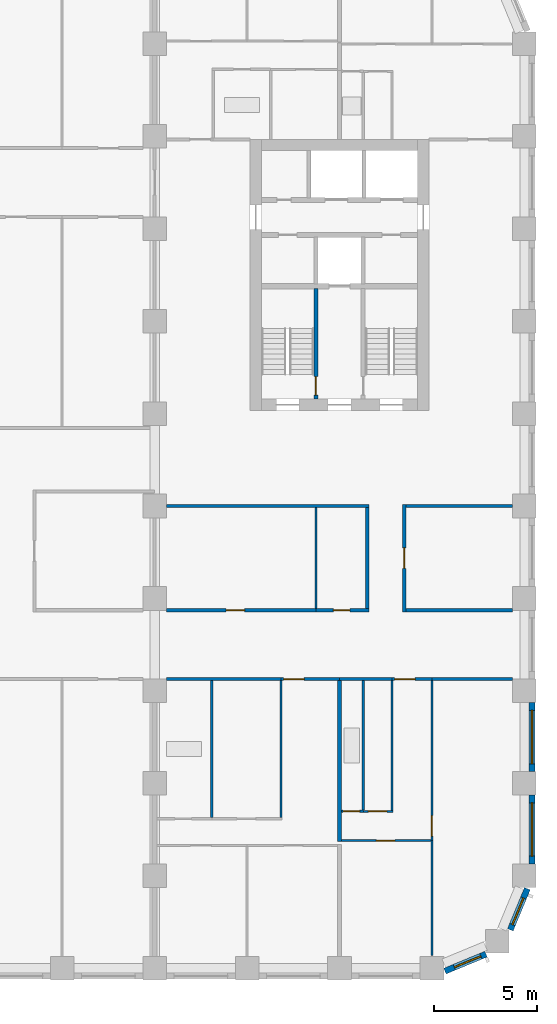
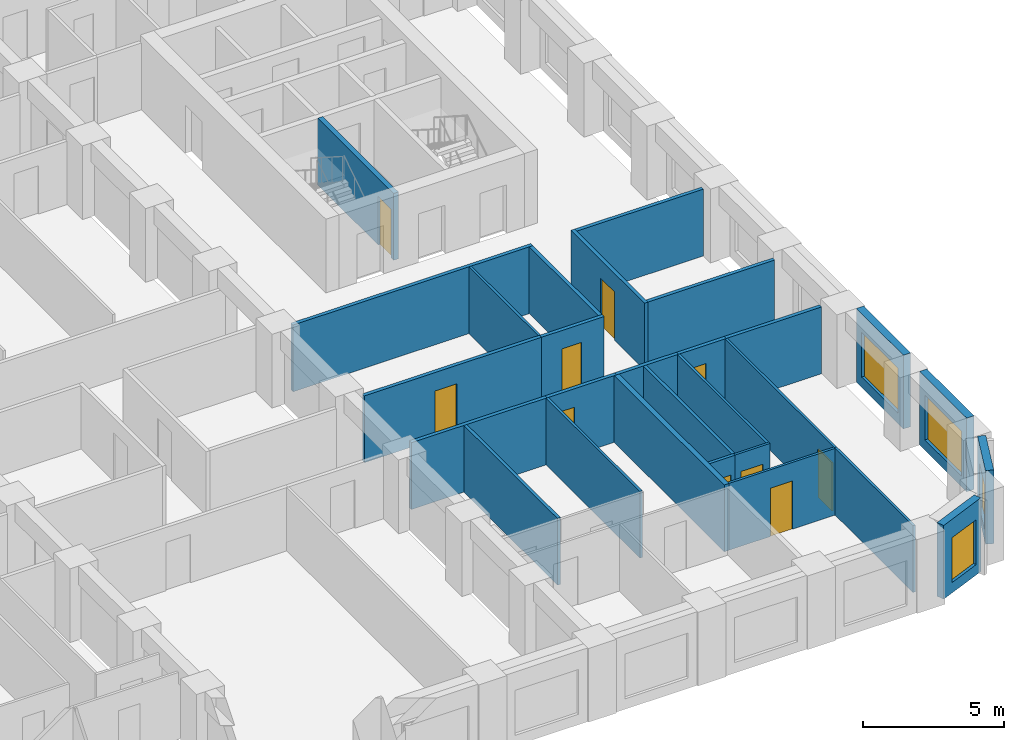
# One storey, part 5 of 13: 28 walls, 10 doors, 4 windows, 14 openings.
"""IFC4 building model written with IfcOpenShell, lengths in metres."""

from ifc_helpers import new_model, si_unit, direction, frame, frame_2d, origin, place, context, subcontext, project, spatial, rectangle, extrude, material, layer, layer_set, type_object, element, fill, save


model = new_model("IFC4")

# Units and contexts
model_context = context("Model", 3, precision=1e-05, world=origin(), true_north=direction((0.0, 1.0)))
body_context = subcontext(model_context, "Body", "Model", "MODEL_VIEW")
ifc_project = project(units=[si_unit("LENGTHUNIT", "METRE"), si_unit("AREAUNIT", "SQUARE_METRE"), si_unit("VOLUMEUNIT", "CUBIC_METRE"), si_unit("PLANEANGLEUNIT", "RADIAN"), si_unit("MASSUNIT", "GRAM", prefix="KILO")], contexts=[model_context])

# Site, building, storey
site_placement = place(None, origin())
site = spatial("IfcSite", under=ifc_project, at=site_placement, CompositionType="ELEMENT")
building_placement = place(site_placement, origin())
building = spatial("IfcBuilding", under=site, at=building_placement, Name="Girih Gate Residences", CompositionType="ELEMENT")
storey_placement = place(building_placement, frame((0.0, 0.0, 99.199951171875)))
storey = spatial("IfcBuildingStorey", under=building, at=storey_placement, Name="L27", CompositionType="ELEMENT", Elevation=99.199951171875)

# Wall
ifc_material_1 = material(Name="Gypsum board on steel studs", Category="steel")
ifc_layer_1 = layer(ifc_material_1, 0.14990234375)
ifc_layer_set_1 = layer_set([ifc_layer_1], Name="Compartment wall 150 mm")
wall_type_1 = type_object("IfcWallType", Name="Compartment wall 150 mm", PredefinedType="PARTITIONING", material=ifc_layer_set_1)
wall_1_placement = place(storey_placement, frame((40.5, 14.074951171875, 0.0), z_axis=(0.0, 0.0, 1.0), x_axis=(1.0, 0.0, 0.0)))
element("IfcWall", 1, at=wall_1_placement, inside=storey, type_object=wall_type_1, Name="L27 partition", PredefinedType="PARTITIONING", context=body_context, shape_type="SweptSolid", body=[
    extrude(rectangle(XDim=2.550048828125, YDim=0.14990234375, at=frame_2d((1.27490234375, 0.0))), origin(), (0.0, 0.0, 1.0), 2.900146484375),
])

# Wall, opening, door
wall_2_placement = place(storey_placement, frame((45.0, 14.074951171875, 0.0), z_axis=(0.0, 0.0, 1.0), x_axis=(-1.0, 0.0, 0.0)))
wall_2 = element("IfcWall", 2, at=wall_2_placement, inside=storey, type_object=wall_type_1, Name="L27 partition", PredefinedType="PARTITIONING", context=body_context, shape_type="SweptSolid", body=[
    extrude(rectangle(XDim=1.949951171875, YDim=0.14990234375, at=frame_2d((0.97509765625, 0.0))), origin(), (0.0, 0.0, 1.0), 2.900146484375),
])
opening_1_placement = place(wall_2_placement, frame((0.820068359375, 0.0, 0.0)))
opening_1 = element("IfcOpeningElement", 3, at=opening_1_placement, cuts=wall_2, Name="Opening A27-023", PredefinedType="OPENING", context=body_context, shape_type="SweptSolid", body=[
    extrude(rectangle(XDim=1.0, YDim=2.10009765625, at=frame_2d((0.5, 1.050048828125))), frame((0.0, 0.0849609375, 0.0), z_axis=(0.0, -1.0, 0.0), x_axis=(1.0, 0.0, 0.0)), (0.0, 0.0, 1.0), 0.169921875),
])
ifc_material_2 = material(Name="Timber, fire-rated core", Category="wood")
door_type_1 = type_object("IfcDoorType", Name="Flat entrance door 1000x2100 FD30S", OperationType="NOTDEFINED", PredefinedType="DOOR", material=ifc_material_2)
door_1_placement = place(opening_1_placement, origin())
door_1 = element("IfcDoor", 4, at=door_1_placement, inside=storey, type_object=door_type_1, Name="Door A27-023", OperationType="SINGLE_SWING_RIGHT", OverallHeight=2.10009765625, OverallWidth=1.0, PredefinedType="DOOR", context=body_context, shape_type="SweptSolid", body=[
    extrude(rectangle(XDim=1.0, YDim=2.10009765625, at=frame_2d((0.5, 1.050048828125))), frame((0.0, 0.02490234375, 0.0), z_axis=(0.0, -1.0, 0.0), x_axis=(1.0, 0.0, 0.0)), (0.0, 0.0, 1.0), 0.050048828125),
])
fill(opening_1, door_1)

# Walls
wall_3_placement = place(storey_placement, frame((45.0, 14.074951171875, 0.0), z_axis=(0.0, 0.0, 1.0), x_axis=(1.0, 0.0, 0.0)))
element("IfcWall", 5, at=wall_3_placement, inside=storey, type_object=wall_type_1, Name="L27 partition", PredefinedType="PARTITIONING", context=body_context, shape_type="SweptSolid", body=[
    extrude(rectangle(XDim=3.925048828125, YDim=0.14990234375, at=frame_2d((1.96240234375, 0.0))), origin(), (0.0, 0.0, 1.0), 2.900146484375),
])
wall_4_placement = place(storey_placement, frame((32.074951171875, 14.074951171875, 0.0), z_axis=(0.0, 0.0, 1.0), x_axis=(1.0, 0.0, 0.0)))
element("IfcWall", 6, at=wall_4_placement, inside=storey, type_object=wall_type_1, Name="L27 partition", PredefinedType="PARTITIONING", context=body_context, shape_type="SweptSolid", body=[
    extrude(rectangle(XDim=5.574951171875, YDim=0.14990234375, at=frame_2d((2.78759765625, 0.0))), origin(), (0.0, 0.0, 1.0), 2.900146484375),
])

# Wall, opening, door
wall_5_placement = place(storey_placement, frame((40.5, 14.074951171875, 0.0), z_axis=(0.0, 0.0, 1.0), x_axis=(-1.0, 0.0, 0.0)))
wall_5 = element("IfcWall", 7, at=wall_5_placement, inside=storey, type_object=wall_type_1, Name="L27 partition", PredefinedType="PARTITIONING", context=body_context, shape_type="SweptSolid", body=[
    extrude(rectangle(XDim=2.85009765625, YDim=0.14990234375, at=frame_2d((1.425048828125, 0.0))), origin(), (0.0, 0.0, 1.0), 2.900146484375),
])
opening_2_placement = place(wall_5_placement, frame((1.719970703125, 0.0, 0.0)))
opening_2 = element("IfcOpeningElement", 8, at=opening_2_placement, cuts=wall_5, Name="Opening A27-028", PredefinedType="OPENING", context=body_context, shape_type="SweptSolid", body=[
    extrude(rectangle(XDim=1.0, YDim=2.10009765625, at=frame_2d((0.5, 1.050048828125))), frame((0.0, 0.0849609375, 0.0), z_axis=(0.0, -1.0, 0.0), x_axis=(1.0, 0.0, 0.0)), (0.0, 0.0, 1.0), 0.169921875),
])
door_2_placement = place(opening_2_placement, origin())
door_2 = element("IfcDoor", 9, at=door_2_placement, inside=storey, type_object=door_type_1, Name="Door A27-028", OperationType="SINGLE_SWING_RIGHT", OverallHeight=2.10009765625, OverallWidth=1.0, PredefinedType="DOOR", context=body_context, shape_type="SweptSolid", body=[
    extrude(rectangle(XDim=1.0, YDim=2.10009765625, at=frame_2d((0.5, 1.050048828125))), frame((0.0, 0.02490234375, 0.0), z_axis=(0.0, -1.0, 0.0), x_axis=(1.0, 0.0, 0.0)), (0.0, 0.0, 1.0), 0.050048828125),
])
fill(opening_2, door_2)

wall_6_placement = place(storey_placement, frame((32.074951171875, 17.425048828125, 0.0), z_axis=(0.0, 0.0, 1.0), x_axis=(1.0, 0.0, 0.0)))
wall_6 = element("IfcWall", 10, at=wall_6_placement, inside=storey, type_object=wall_type_1, Name="L27 partition", PredefinedType="PARTITIONING", context=body_context, shape_type="SweptSolid", body=[
    extrude(rectangle(XDim=7.275146484375, YDim=0.14990234375, at=frame_2d((3.6376953125, 0.0))), origin(), (0.0, 0.0, 1.0), 2.900146484375),
])
opening_3_placement = place(wall_6_placement, frame((2.89990234375, 0.0, 0.0)))
opening_3 = element("IfcOpeningElement", 11, at=opening_3_placement, cuts=wall_6, Name="Opening A27-050", PredefinedType="OPENING", context=body_context, shape_type="SweptSolid", body=[
    extrude(rectangle(XDim=0.89990234375, YDim=2.10009765625, at=frame_2d((0.449951171875, 1.050048828125))), frame((0.0, 0.0849609375, 0.0), z_axis=(0.0, -1.0, 0.0), x_axis=(1.0, 0.0, 0.0)), (0.0, 0.0, 1.0), 0.169921875),
])
ifc_material_3 = material(Name="Timber", Category="wood")
door_type_2 = type_object("IfcDoorType", Name="Service room door 900x2100", OperationType="NOTDEFINED", PredefinedType="DOOR", material=ifc_material_3)
door_3_placement = place(opening_3_placement, origin())
door_3 = element("IfcDoor", 12, at=door_3_placement, inside=storey, type_object=door_type_2, Name="Door A27-050", OperationType="SINGLE_SWING_LEFT", OverallHeight=2.10009765625, OverallWidth=0.89990234375, PredefinedType="DOOR", context=body_context, shape_type="SweptSolid", body=[
    extrude(rectangle(XDim=0.89990234375, YDim=2.10009765625, at=frame_2d((0.449951171875, 1.050048828125))), frame((0.0, 0.02490234375, 0.0), z_axis=(0.0, -1.0, 0.0), x_axis=(1.0, 0.0, 0.0)), (0.0, 0.0, 1.0), 0.050048828125),
])
fill(opening_3, door_3)

wall_7_placement = place(storey_placement, frame((39.35009765625, 17.425048828125, 0.0), z_axis=(0.0, 0.0, 1.0), x_axis=(1.0, 0.0, 0.0)))
wall_7 = element("IfcWall", 13, at=wall_7_placement, inside=storey, type_object=wall_type_1, Name="L27 partition", PredefinedType="PARTITIONING", context=body_context, shape_type="SweptSolid", body=[
    extrude(rectangle(XDim=2.574951171875, YDim=0.14990234375, at=frame_2d((1.28759765625, 0.0))), origin(), (0.0, 0.0, 1.0), 2.900146484375),
])
opening_4_placement = place(wall_7_placement, frame((0.85009765625, 0.0, 0.0)))
opening_4 = element("IfcOpeningElement", 14, at=opening_4_placement, cuts=wall_7, Name="Opening A27-052", PredefinedType="OPENING", context=body_context, shape_type="SweptSolid", body=[
    extrude(rectangle(XDim=0.800048828125, YDim=2.10009765625, at=frame_2d((0.39990234375, 1.050048828125))), frame((0.0, 0.0849609375, 0.0), z_axis=(0.0, -1.0, 0.0), x_axis=(1.0, 0.0, 0.0)), (0.0, 0.0, 1.0), 0.169921875),
])
door_type_3 = type_object("IfcDoorType", Name="Bathroom door 800x2100", OperationType="NOTDEFINED", PredefinedType="DOOR", material=ifc_material_3)
door_4_placement = place(opening_4_placement, origin())
door_4 = element("IfcDoor", 15, at=door_4_placement, inside=storey, type_object=door_type_3, Name="Door A27-052", OperationType="SINGLE_SWING_LEFT", OverallHeight=2.10009765625, OverallWidth=0.800048828125, PredefinedType="DOOR", context=body_context, shape_type="SweptSolid", body=[
    extrude(rectangle(XDim=0.800048828125, YDim=2.10009765625, at=frame_2d((0.39990234375, 1.050048828125))), frame((0.0, 0.02490234375, 0.0), z_axis=(0.0, -1.0, 0.0), x_axis=(1.0, 0.0, 0.0)), (0.0, 0.0, 1.0), 0.050048828125),
])
fill(opening_4, door_4)

# Walls
wall_8_placement = place(storey_placement, frame((43.72509765625, 17.425048828125, 0.0), z_axis=(0.0, 0.0, 1.0), x_axis=(1.0, 0.0, 0.0)))
element("IfcWall", 16, at=wall_8_placement, inside=storey, type_object=wall_type_1, Name="L27 partition", PredefinedType="PARTITIONING", context=body_context, shape_type="SweptSolid", body=[
    extrude(rectangle(XDim=5.199951171875, YDim=0.14990234375, at=frame_2d((2.60009765625, 0.0))), origin(), (0.0, 0.0, 1.0), 2.900146484375),
])
wall_9_placement = place(storey_placement, frame((32.074951171875, 22.5, 0.0), z_axis=(0.0, 0.0, 1.0), x_axis=(1.0, 0.0, 0.0)))
element("IfcWall", 17, at=wall_9_placement, inside=storey, type_object=wall_type_1, Name="L27 partition", PredefinedType="PARTITIONING", context=body_context, shape_type="SweptSolid", body=[
    extrude(rectangle(XDim=9.85009765625, YDim=0.14990234375, at=frame_2d((4.925048828125, 0.0))), origin(), (0.0, 0.0, 1.0), 2.900146484375),
])
wall_10_placement = place(storey_placement, frame((43.72509765625, 22.5, 0.0), z_axis=(0.0, 0.0, 1.0), x_axis=(1.0, 0.0, 0.0)))
element("IfcWall", 18, at=wall_10_placement, inside=storey, type_object=wall_type_1, Name="L27 partition", PredefinedType="PARTITIONING", context=body_context, shape_type="SweptSolid", body=[
    extrude(rectangle(XDim=5.199951171875, YDim=0.14990234375, at=frame_2d((2.60009765625, 0.0))), origin(), (0.0, 0.0, 1.0), 2.900146484375),
])
wall_11_placement = place(storey_placement, frame((41.85009765625, 17.5, 0.0), z_axis=(0.0, 0.0, 1.0), x_axis=(0.0, 1.0, 0.0)))
element("IfcWall", 19, at=wall_11_placement, inside=storey, type_object=wall_type_1, Name="L27 partition", PredefinedType="PARTITIONING", context=body_context, shape_type="SweptSolid", body=[
    extrude(rectangle(XDim=4.925048828125, YDim=0.14990234375, at=frame_2d((2.46240234375, 0.0))), origin(), (0.0, 0.0, 1.0), 2.900146484375),
])

# Wall, opening, door
wall_12_placement = place(storey_placement, frame((43.64990234375, 22.574951171875, 0.0), z_axis=(0.0, 0.0, 1.0), x_axis=(0.0, -1.0, 0.0)))
wall_12 = element("IfcWall", 20, at=wall_12_placement, inside=storey, type_object=wall_type_1, Name="L27 partition", PredefinedType="PARTITIONING", context=body_context, shape_type="SweptSolid", body=[
    extrude(rectangle(XDim=5.224853515625, YDim=0.14990234375, at=frame_2d((2.6123046875, 0.0))), origin(), (0.0, 0.0, 1.0), 2.900146484375),
])
opening_5_placement = place(wall_12_placement, frame((2.112548828125, 0.0, 0.0)))
opening_5 = element("IfcOpeningElement", 21, at=opening_5_placement, cuts=wall_12, Name="Opening A27-054", PredefinedType="OPENING", context=body_context, shape_type="SweptSolid", body=[
    extrude(rectangle(XDim=1.0, YDim=2.10009765625, at=frame_2d((0.5, 1.050048828125))), frame((0.0, 0.0849609375, 0.0), z_axis=(0.0, -1.0, 0.0), x_axis=(1.0, 0.0, 0.0)), (0.0, 0.0, 1.0), 0.169921875),
])
door_type_4 = type_object("IfcDoorType", Name="Amenity room door 1000x2100 FD30S", OperationType="NOTDEFINED", PredefinedType="DOOR", material=ifc_material_2)
door_5_placement = place(opening_5_placement, origin())
door_5 = element("IfcDoor", 22, at=door_5_placement, inside=storey, type_object=door_type_4, Name="Door A27-054", OperationType="SINGLE_SWING_RIGHT", OverallHeight=2.10009765625, OverallWidth=1.0, PredefinedType="DOOR", context=body_context, shape_type="SweptSolid", body=[
    extrude(rectangle(XDim=1.0, YDim=2.10009765625, at=frame_2d((0.5, 1.050048828125))), frame((0.0, 0.02490234375, 0.0), z_axis=(0.0, -1.0, 0.0), x_axis=(1.0, 0.0, 0.0)), (0.0, 0.0, 1.0), 0.050048828125),
])
fill(opening_5, door_5)

ifc_layer_2 = layer(ifc_material_1, 0.10009765625)
ifc_layer_set_2 = layer_set([ifc_layer_2], Name="Partition 100 mm")
wall_type_2 = type_object("IfcWallType", Name="Partition 100 mm", PredefinedType="PARTITIONING", material=ifc_layer_set_2)
wall_13_placement = place(storey_placement, frame((44.949951171875, 6.215087890625, 0.0), z_axis=(0.0, 0.0, 1.0), x_axis=(-1.0, 0.0, 0.0)))
wall_13 = element("IfcWall", 23, at=wall_13_placement, inside=storey, type_object=wall_type_2, Name="L27 partition", PredefinedType="PARTITIONING", context=body_context, shape_type="SweptSolid", body=[
    extrude(rectangle(XDim=4.349853515625, YDim=0.10009765625, at=frame_2d((2.1748046875, 0.0))), origin(), (0.0, 0.0, 1.0), 2.900146484375),
])
opening_6_placement = place(wall_13_placement, frame((1.75, 0.0, 0.0)))
opening_6 = element("IfcOpeningElement", 24, at=opening_6_placement, cuts=wall_13, Name="Opening A27-020", PredefinedType="OPENING", context=body_context, shape_type="SweptSolid", body=[
    extrude(rectangle(XDim=0.89990234375, YDim=2.10009765625, at=frame_2d((0.449951171875, 1.050048828125))), frame((0.0, 0.06005859375, 0.0), z_axis=(0.0, -1.0, 0.0), x_axis=(1.0, 0.0, 0.0)), (0.0, 0.0, 1.0), 0.1201171875),
])
door_type_5 = type_object("IfcDoorType", Name="Bedroom door 900x2100", OperationType="NOTDEFINED", PredefinedType="DOOR", material=ifc_material_3)
door_6_placement = place(opening_6_placement, origin())
door_6 = element("IfcDoor", 25, at=door_6_placement, inside=storey, type_object=door_type_5, Name="Door A27-020", OperationType="SINGLE_SWING_RIGHT", OverallHeight=2.10009765625, OverallWidth=0.89990234375, PredefinedType="DOOR", context=body_context, shape_type="SweptSolid", body=[
    extrude(rectangle(XDim=0.89990234375, YDim=2.10009765625, at=frame_2d((0.449951171875, 1.050048828125))), frame((0.0, 0.02490234375, 0.0), z_axis=(0.0, -1.0, 0.0), x_axis=(1.0, 0.0, 0.0)), (0.0, 0.0, 1.0), 0.050048828125),
])
fill(opening_6, door_6)

# Wall
wall_14_placement = place(storey_placement, frame((45.0, 0.622314453125, 0.0), z_axis=(0.0, 0.0, 1.0), x_axis=(0.0, 1.0, 0.0)))
element("IfcWall", 26, at=wall_14_placement, inside=storey, type_object=wall_type_2, Name="L27 partition", PredefinedType="PARTITIONING", context=body_context, shape_type="SweptSolid", body=[
    extrude(rectangle(XDim=5.5927734375, YDim=0.10009765625, at=frame_2d((2.79638671875, 0.0))), origin(), (0.0, 0.0, 1.0), 2.900146484375),
])

# Wall, opening, door
wall_15_placement = place(storey_placement, frame((41.6591796875, 7.635009765625, 0.0), z_axis=(0.0, 0.0, 1.0), x_axis=(1.0, 0.0, 0.0)))
wall_15 = element("IfcWall", 27, at=wall_15_placement, inside=storey, type_object=wall_type_2, Name="L27 partition", PredefinedType="PARTITIONING", context=body_context, shape_type="SweptSolid", body=[
    extrude(rectangle(XDim=1.44091796875, YDim=0.10009765625, at=frame_2d((0.720458984375, 0.0))), origin(), (0.0, 0.0, 1.0), 2.900146484375),
])
opening_7_placement = place(wall_15_placement, frame((0.24560546875, 0.0, 0.0)))
opening_7 = element("IfcOpeningElement", 28, at=opening_7_placement, cuts=wall_15, Name="Opening A27-021", PredefinedType="OPENING", context=body_context, shape_type="SweptSolid", body=[
    extrude(rectangle(XDim=0.89990234375, YDim=2.10009765625, at=frame_2d((0.449951171875, 1.050048828125))), frame((0.0, 0.06005859375, 0.0), z_axis=(0.0, -1.0, 0.0), x_axis=(1.0, 0.0, 0.0)), (0.0, 0.0, 1.0), 0.1201171875),
])
door_type_6 = type_object("IfcDoorType", Name="Kitchen door 900x2100", OperationType="NOTDEFINED", PredefinedType="DOOR", material=ifc_material_3)
door_7_placement = place(opening_7_placement, origin())
door_7 = element("IfcDoor", 29, at=door_7_placement, inside=storey, type_object=door_type_6, Name="Door A27-021", OperationType="SINGLE_SWING_LEFT", OverallHeight=2.10009765625, OverallWidth=0.89990234375, PredefinedType="DOOR", context=body_context, shape_type="SweptSolid", body=[
    extrude(rectangle(XDim=0.89990234375, YDim=2.10009765625, at=frame_2d((0.449951171875, 1.050048828125))), frame((0.0, 0.02490234375, 0.0), z_axis=(0.0, -1.0, 0.0), x_axis=(1.0, 0.0, 0.0)), (0.0, 0.0, 1.0), 0.050048828125),
])
fill(opening_7, door_7)

# Wall
wall_16_placement = place(storey_placement, frame((43.050048828125, 7.68505859375, 0.0), z_axis=(0.0, 0.0, 1.0), x_axis=(0.0, 1.0, 0.0)))
element("IfcWall", 30, at=wall_16_placement, inside=storey, type_object=wall_type_2, Name="L27 partition", PredefinedType="PARTITIONING", context=body_context, shape_type="SweptSolid", body=[
    extrude(rectangle(XDim=6.31494140625, YDim=0.10009765625, at=frame_2d((3.157470703125, 0.0))), origin(), (0.0, 0.0, 1.0), 2.900146484375),
])

# Wall, opening, door
wall_17_placement = place(storey_placement, frame((45.0, 14.0, 0.0), z_axis=(0.0, 0.0, 1.0), x_axis=(0.0, -1.0, 0.0)))
wall_17 = element("IfcWall", 31, at=wall_17_placement, inside=storey, type_object=wall_type_2, Name="L27 partition", PredefinedType="PARTITIONING", context=body_context, shape_type="SweptSolid", body=[
    extrude(rectangle(XDim=7.784912109375, YDim=0.10009765625, at=frame_2d((3.892578125, 0.0))), origin(), (0.0, 0.0, 1.0), 2.900146484375),
])
opening_8_placement = place(wall_17_placement, frame((6.574951171875, 0.0, 0.0)))
opening_8 = element("IfcOpeningElement", 32, at=opening_8_placement, cuts=wall_17, Name="Opening A27-022", PredefinedType="OPENING", context=body_context, shape_type="SweptSolid", body=[
    extrude(rectangle(XDim=1.0, YDim=2.10009765625, at=frame_2d((0.5, 1.050048828125))), frame((0.0, 0.06005859375, 0.0), z_axis=(0.0, -1.0, 0.0), x_axis=(1.0, 0.0, 0.0)), (0.0, 0.0, 1.0), 0.1201171875),
])
door_type_7 = type_object("IfcDoorType", Name="Living room door 1000x2100", OperationType="NOTDEFINED", PredefinedType="DOOR", material=ifc_material_3)
door_8_placement = place(opening_8_placement, origin())
door_8 = element("IfcDoor", 33, at=door_8_placement, inside=storey, type_object=door_type_7, Name="Door A27-022", OperationType="SINGLE_SWING_RIGHT", OverallHeight=2.10009765625, OverallWidth=1.0, PredefinedType="DOOR", context=body_context, shape_type="SweptSolid", body=[
    extrude(rectangle(XDim=1.0, YDim=2.10009765625, at=frame_2d((0.5, 1.050048828125))), frame((0.0, 0.02490234375, 0.0), z_axis=(0.0, -1.0, 0.0), x_axis=(1.0, 0.0, 0.0)), (0.0, 0.0, 1.0), 0.050048828125),
])
fill(opening_8, door_8)

# Walls
wall_18_placement = place(storey_placement, frame((37.64990234375, 7.324951171875, 0.0), z_axis=(0.0, 0.0, 1.0), x_axis=(0.0, 1.0, 0.0)))
element("IfcWall", 34, at=wall_18_placement, inside=storey, type_object=wall_type_2, Name="L27 partition", PredefinedType="PARTITIONING", context=body_context, shape_type="SweptSolid", body=[
    extrude(rectangle(XDim=6.675048828125, YDim=0.10009765625, at=frame_2d((3.33740234375, 0.0))), origin(), (0.0, 0.0, 1.0), 2.900146484375),
])
wall_19_placement = place(storey_placement, frame((39.35009765625, 17.5, 0.0), z_axis=(0.0, 0.0, 1.0), x_axis=(0.0, 1.0, 0.0)))
element("IfcWall", 35, at=wall_19_placement, inside=storey, type_object=wall_type_2, Name="L27 partition", PredefinedType="PARTITIONING", context=body_context, shape_type="SweptSolid", body=[
    extrude(rectangle(XDim=4.925048828125, YDim=0.10009765625, at=frame_2d((2.46240234375, 0.0))), origin(), (0.0, 0.0, 1.0), 2.900146484375),
])
ifc_layer_3 = layer(ifc_material_1, 0.199951171875)
ifc_layer_set_3 = layer_set([ifc_layer_3], Name="Party wall 200 mm")
wall_type_3 = type_object("IfcWallType", Name="Party wall 200 mm", PredefinedType="PARTITIONING", material=ifc_layer_set_3)
wall_20_placement = place(storey_placement, frame((40.5, 6.1650390625, 0.0), z_axis=(0.0, 0.0, 1.0), x_axis=(0.0, 1.0, 0.0)))
element("IfcWall", 36, at=wall_20_placement, inside=storey, type_object=wall_type_3, Name="L27 partition", PredefinedType="PARTITIONING", context=body_context, shape_type="SweptSolid", body=[
    extrude(rectangle(XDim=7.8349609375, YDim=0.199951171875, at=frame_2d((3.91748046875, 0.0))), origin(), (0.0, 0.0, 1.0), 2.900146484375),
])

# Wall, opening, window
ifc_material_4 = material(Name="Precast concrete C50/60", Category="concrete")
ifc_layer_4 = layer(ifc_material_4, 0.080078125, Name="Outer leaf")
ifc_material_5 = material(Name="Rigid PIR insulation")
ifc_layer_5 = layer(ifc_material_5, 0.14990234375, Name="Insulation")
ifc_material_6 = material(Name="Precast concrete C40/50", Category="concrete")
ifc_layer_6 = layer(ifc_material_6, 0.070068359375, Name="Inner leaf")
ifc_layer_set_4 = layer_set([ifc_layer_4, ifc_layer_5, ifc_layer_6], Name="Precast concrete C50/60 external wall 300")
wall_type_4 = type_object("IfcWallType", Name="Precast concrete C50/60 external wall 300", PredefinedType="SOLIDWALL", material=ifc_layer_set_4)
wall_21_placement = place(storey_placement, frame((47.63134765625, 0.68408203125, 0.0), z_axis=(0.0, 0.0, 1.0), x_axis=(-0.923862802911, -0.382723818695, 0.0)))
wall_21 = element("IfcWall", 37, at=wall_21_placement, inside=storey, type_object=wall_type_4, Name="External wall SE0450_0000.0", PredefinedType="SOLIDWALL", context=body_context, shape_type="SweptSolid", body=[
    extrude(rectangle(XDim=2.163818359375, YDim=0.300048828125, at=frame_2d((1.08203125, 0.0))), origin(), (0.0, 0.0, 1.0), 3.199951171875),
])
opening_9_placement = place(wall_21_placement, frame((0.270751953125, 0.0, 0.449951171875)))
opening_9 = element("IfcOpeningElement", 38, at=opening_9_placement, cuts=wall_21, Name="Opening W-2D", PredefinedType="OPENING", context=body_context, shape_type="SweptSolid", body=[
    extrude(rectangle(XDim=1.39990234375, YDim=1.949951171875, at=frame_2d((0.699951171875, 0.97509765625))), frame((0.0, 0.159912109375, 0.0), z_axis=(0.0, -1.0, 0.0), x_axis=(1.0, 0.0, 0.0)), (0.0, 0.0, 1.0), 0.320068359375),
])
ifc_material_7 = material(Name="Double glazing in aluminium frame", Category="aluminium")
window_type_1 = type_object("IfcWindowType", Name="Window W-2D 1400x1950", PartitioningType="SINGLE_PANEL", PredefinedType="WINDOW", material=ifc_material_7)
window_1_placement = place(opening_9_placement, origin())
window_1 = element("IfcWindow", 39, at=window_1_placement, inside=storey, type_object=window_type_1, Name="Window W-2D SE0450_0000.0", OverallHeight=1.949951171875, OverallWidth=1.39990234375, PartitioningType="SINGLE_PANEL", PredefinedType="WINDOW", context=body_context, shape_type="SweptSolid", body=[
    extrude(rectangle(XDim=1.39990234375, YDim=1.949951171875, at=frame_2d((0.699951171875, 0.97509765625))), frame((0.0, 0.030029296875, 0.0), z_axis=(0.0, -1.0, 0.0), x_axis=(1.0, 0.0, 0.0)), (0.0, 0.0, 1.0), 0.06005859375),
])
fill(opening_9, window_1)

wall_22_placement = place(storey_placement, frame((49.64404296875, 3.86767578125, 0.0), z_axis=(0.0, 0.0, 1.0), x_axis=(-0.382723818695, -0.923862802911, 0.0)))
wall_22 = element("IfcWall", 40, at=wall_22_placement, inside=storey, type_object=wall_type_4, Name="External wall SE0482_0013.0", PredefinedType="SOLIDWALL", context=body_context, shape_type="SweptSolid", body=[
    extrude(rectangle(XDim=2.163818359375, YDim=0.300048828125, at=frame_2d((1.08203125, 0.0))), origin(), (0.0, 0.0, 1.0), 3.199951171875),
])
opening_10_placement = place(wall_22_placement, frame((0.492919921875, 0.0, 0.449951171875)))
opening_10 = element("IfcOpeningElement", 41, at=opening_10_placement, cuts=wall_22, Name="Opening W-2D", PredefinedType="OPENING", context=body_context, shape_type="SweptSolid", body=[
    extrude(rectangle(XDim=1.39990234375, YDim=1.949951171875, at=frame_2d((0.699951171875, 0.97509765625))), frame((0.0, 0.159912109375, 0.0), z_axis=(0.0, -1.0, 0.0), x_axis=(1.0, 0.0, 0.0)), (0.0, 0.0, 1.0), 0.320068359375),
])
window_2_placement = place(opening_10_placement, origin())
window_2 = element("IfcWindow", 42, at=window_2_placement, inside=storey, type_object=window_type_1, Name="Window W-2D SE0482_0013.0", OverallHeight=1.949951171875, OverallWidth=1.39990234375, PartitioningType="SINGLE_PANEL", PredefinedType="WINDOW", context=body_context, shape_type="SweptSolid", body=[
    extrude(rectangle(XDim=1.39990234375, YDim=1.949951171875, at=frame_2d((0.699951171875, 0.97509765625))), frame((0.0, 0.030029296875, 0.0), z_axis=(0.0, -1.0, 0.0), x_axis=(1.0, 0.0, 0.0)), (0.0, 0.0, 1.0), 0.06005859375),
])
fill(opening_10, window_2)

wall_23_placement = place(storey_placement, frame((49.875, 8.425048828125, 0.0), z_axis=(0.0, 0.0, 1.0), x_axis=(0.0, -1.0, 0.0)))
wall_23 = element("IfcWall", 43, at=wall_23_placement, inside=storey, type_object=wall_type_4, Name="External wall E0495_0045.0", PredefinedType="SOLIDWALL", context=body_context, shape_type="SweptSolid", body=[
    extrude(rectangle(XDim=3.35009765625, YDim=0.300048828125, at=frame_2d((1.675048828125, 0.0))), origin(), (0.0, 0.0, 1.0), 3.199951171875),
])
opening_11_placement = place(wall_23_placement, frame((0.375, 0.0, 0.449951171875)))
opening_11 = element("IfcOpeningElement", 44, at=opening_11_placement, cuts=wall_23, Name="Opening W-1A", PredefinedType="OPENING", context=body_context, shape_type="SweptSolid", body=[
    extrude(rectangle(XDim=2.60009765625, YDim=1.949951171875, at=frame_2d((1.300048828125, 0.97509765625))), frame((0.0, 0.159912109375, 0.0), z_axis=(0.0, -1.0, 0.0), x_axis=(1.0, 0.0, 0.0)), (0.0, 0.0, 1.0), 0.320068359375),
])
window_type_2 = type_object("IfcWindowType", Name="Window W-1A 2600x1950", PartitioningType="SINGLE_PANEL", PredefinedType="WINDOW", material=ifc_material_7)
window_3_placement = place(opening_11_placement, origin())
window_3 = element("IfcWindow", 45, at=window_3_placement, inside=storey, type_object=window_type_2, Name="Window W-1A E0495_0045.0", OverallHeight=1.949951171875, OverallWidth=2.60009765625, PartitioningType="SINGLE_PANEL", PredefinedType="WINDOW", context=body_context, shape_type="SweptSolid", body=[
    extrude(rectangle(XDim=2.60009765625, YDim=1.949951171875, at=frame_2d((1.300048828125, 0.97509765625))), frame((0.0, 0.030029296875, 0.0), z_axis=(0.0, -1.0, 0.0), x_axis=(1.0, 0.0, 0.0)), (0.0, 0.0, 1.0), 0.06005859375),
])
fill(opening_11, window_3)

wall_24_placement = place(storey_placement, frame((49.875, 12.925048828125, 0.0), z_axis=(0.0, 0.0, 1.0), x_axis=(0.0, -1.0, 0.0)))
wall_24 = element("IfcWall", 46, at=wall_24_placement, inside=storey, type_object=wall_type_4, Name="External wall E0495_0045.1", PredefinedType="SOLIDWALL", context=body_context, shape_type="SweptSolid", body=[
    extrude(rectangle(XDim=3.35009765625, YDim=0.300048828125, at=frame_2d((1.675048828125, 0.0))), origin(), (0.0, 0.0, 1.0), 3.199951171875),
])
opening_12_placement = place(wall_24_placement, frame((0.375, 0.0, 0.449951171875)))
opening_12 = element("IfcOpeningElement", 47, at=opening_12_placement, cuts=wall_24, Name="Opening W-1A", PredefinedType="OPENING", context=body_context, shape_type="SweptSolid", body=[
    extrude(rectangle(XDim=2.60009765625, YDim=1.949951171875, at=frame_2d((1.300048828125, 0.97509765625))), frame((0.0, 0.159912109375, 0.0), z_axis=(0.0, -1.0, 0.0), x_axis=(1.0, 0.0, 0.0)), (0.0, 0.0, 1.0), 0.320068359375),
])
window_4_placement = place(opening_12_placement, origin())
window_4 = element("IfcWindow", 48, at=window_4_placement, inside=storey, type_object=window_type_2, Name="Window W-1A E0495_0045.1", OverallHeight=1.949951171875, OverallWidth=2.60009765625, PartitioningType="SINGLE_PANEL", PredefinedType="WINDOW", context=body_context, shape_type="SweptSolid", body=[
    extrude(rectangle(XDim=2.60009765625, YDim=1.949951171875, at=frame_2d((1.300048828125, 0.97509765625))), frame((0.0, 0.030029296875, 0.0), z_axis=(0.0, -1.0, 0.0), x_axis=(1.0, 0.0, 0.0)), (0.0, 0.0, 1.0), 0.06005859375),
])
fill(opening_12, window_4)

# Wall, opening, door
ifc_material_8 = material(Name="Concrete C40/50", Category="concrete")
ifc_layer_7 = layer(ifc_material_8, 0.199951171875)
ifc_layer_set_5 = layer_set([ifc_layer_7], Name="Shaft wall 200")
wall_type_5 = type_object("IfcWallType", Name="Shaft wall 200", PredefinedType="SOLIDWALL", material=ifc_layer_set_5)
wall_25_placement = place(storey_placement, frame((39.35009765625, 27.699951171875, 0.0), z_axis=(0.0, 0.0, 1.0), x_axis=(0.0, 1.0, 0.0)))
wall_25 = element("IfcWall", 49, at=wall_25_placement, inside=storey, type_object=wall_type_5, Name="L27 E core wall V2a", PredefinedType="SOLIDWALL", context=body_context, shape_type="SweptSolid", body=[
    extrude(rectangle(XDim=5.400146484375, YDim=0.199951171875, at=frame_2d((2.7001953125, 0.0))), origin(), (0.0, 0.0, 1.0), 2.900146484375),
])
opening_13_placement = place(wall_25_placement, frame((0.199951171875, 0.0, 0.0)))
opening_13 = element("IfcOpeningElement", 50, at=opening_13_placement, cuts=wall_25, Name="Opening D-L27-E-002", PredefinedType="OPENING", context=body_context, shape_type="SweptSolid", body=[
    extrude(rectangle(XDim=0.89990234375, YDim=2.10009765625, at=frame_2d((0.449951171875, 1.050048828125))), frame((0.0, 0.10986328125, 0.0), z_axis=(0.0, -1.0, 0.0), x_axis=(1.0, 0.0, 0.0)), (0.0, 0.0, 1.0), 0.219970703125),
])
ifc_material_9 = material(Name="Painted steel, fire-resisting", Category="steel")
door_type_8 = type_object("IfcDoorType", Name="Fire door 900x2100", OperationType="SINGLE_SWING_LEFT", PredefinedType="DOOR", material=ifc_material_9)
door_9_placement = place(opening_13_placement, origin())
door_9 = element("IfcDoor", 51, at=door_9_placement, inside=storey, type_object=door_type_8, Name="L27 E door stair 2 to firefighting lobby", OperationType="SINGLE_SWING_LEFT", OverallHeight=2.10009765625, OverallWidth=0.89990234375, PredefinedType="DOOR", context=body_context, shape_type="SweptSolid", body=[
    extrude(rectangle(XDim=0.89990234375, YDim=2.10009765625, at=frame_2d((0.449951171875, 1.050048828125))), frame((0.0, 0.02490234375, 0.0), z_axis=(0.0, -1.0, 0.0), x_axis=(1.0, 0.0, 0.0)), (0.0, 0.0, 1.0), 0.050048828125),
])
fill(opening_13, door_9)

ifc_layer_8 = layer(ifc_material_1, 0.125)
ifc_layer_set_6 = layer_set([ifc_layer_8], Name="Wet room wall 125 mm")
wall_type_6 = type_object("IfcWallType", Name="Wet room wall 125 mm", PredefinedType="PARTITIONING", material=ifc_layer_set_6)
wall_26_placement = place(storey_placement, frame((40.60009765625, 7.635009765625, 0.0), z_axis=(0.0, 0.0, 1.0), x_axis=(1.0, 0.0, 0.0)))
wall_26 = element("IfcWall", 52, at=wall_26_placement, inside=storey, type_object=wall_type_6, Name="L27 partition", PredefinedType="PARTITIONING", context=body_context, shape_type="SweptSolid", body=[
    extrude(rectangle(XDim=1.05908203125, YDim=0.125, at=frame_2d((0.529541015625, 0.0))), origin(), (0.0, 0.0, 1.0), 2.900146484375),
])
opening_14_placement = place(wall_26_placement, frame((0.07958984375, 0.0, 0.0)))
opening_14 = element("IfcOpeningElement", 53, at=opening_14_placement, cuts=wall_26, Name="Opening A27-019", PredefinedType="OPENING", context=body_context, shape_type="SweptSolid", body=[
    extrude(rectangle(XDim=0.800048828125, YDim=2.10009765625, at=frame_2d((0.39990234375, 1.050048828125))), frame((0.0, 0.072509765625, 0.0), z_axis=(0.0, -1.0, 0.0), x_axis=(1.0, 0.0, 0.0)), (0.0, 0.0, 1.0), 0.14501953125),
])
door_10_placement = place(opening_14_placement, origin())
door_10 = element("IfcDoor", 54, at=door_10_placement, inside=storey, type_object=door_type_3, Name="Door A27-019", OperationType="SINGLE_SWING_LEFT", OverallHeight=2.10009765625, OverallWidth=0.800048828125, PredefinedType="DOOR", context=body_context, shape_type="SweptSolid", body=[
    extrude(rectangle(XDim=0.800048828125, YDim=2.10009765625, at=frame_2d((0.39990234375, 1.050048828125))), frame((0.0, 0.02490234375, 0.0), z_axis=(0.0, -1.0, 0.0), x_axis=(1.0, 0.0, 0.0)), (0.0, 0.0, 1.0), 0.050048828125),
])
fill(opening_14, door_10)

# Walls
wall_27_placement = place(storey_placement, frame((41.658935546875, 7.697509765625, 0.0), z_axis=(0.0, 0.0, 1.0), x_axis=(0.0, 1.0, 0.0)))
element("IfcWall", 55, at=wall_27_placement, inside=storey, type_object=wall_type_6, Name="L27 partition", PredefinedType="PARTITIONING", context=body_context, shape_type="SweptSolid", body=[
    extrude(rectangle(XDim=6.302490234375, YDim=0.125, at=frame_2d((3.1513671875, 0.0))), origin(), (0.0, 0.0, 1.0), 2.900146484375),
])
wall_28_placement = place(storey_placement, frame((34.287109375, 7.33740234375, 0.0), z_axis=(0.0, 0.0, 1.0), x_axis=(0.0, 1.0, 0.0)))
element("IfcWall", 56, at=wall_28_placement, inside=storey, type_object=wall_type_6, Name="L27 partition", PredefinedType="PARTITIONING", context=body_context, shape_type="SweptSolid", body=[
    extrude(rectangle(XDim=6.66259765625, YDim=0.125, at=frame_2d((3.331298828125, 0.0))), origin(), (0.0, 0.0, 1.0), 2.900146484375),
])

save(model, "model.ifc")
